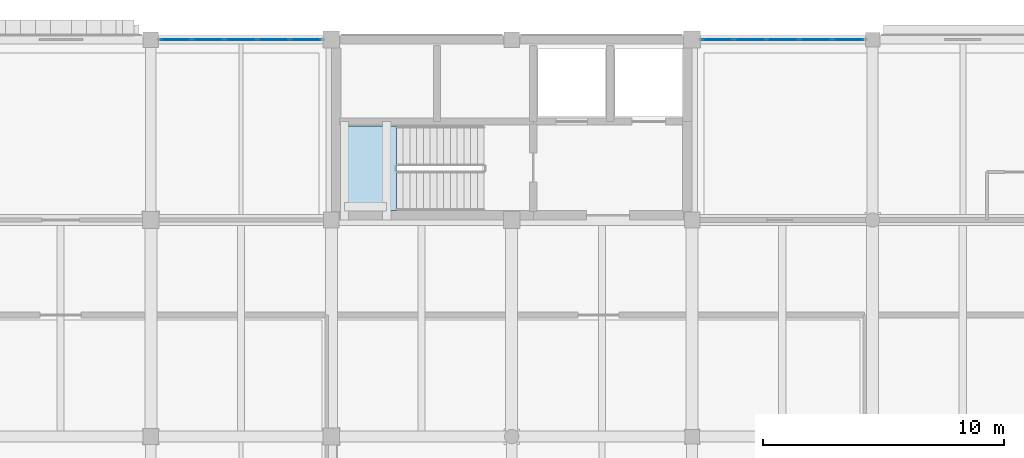
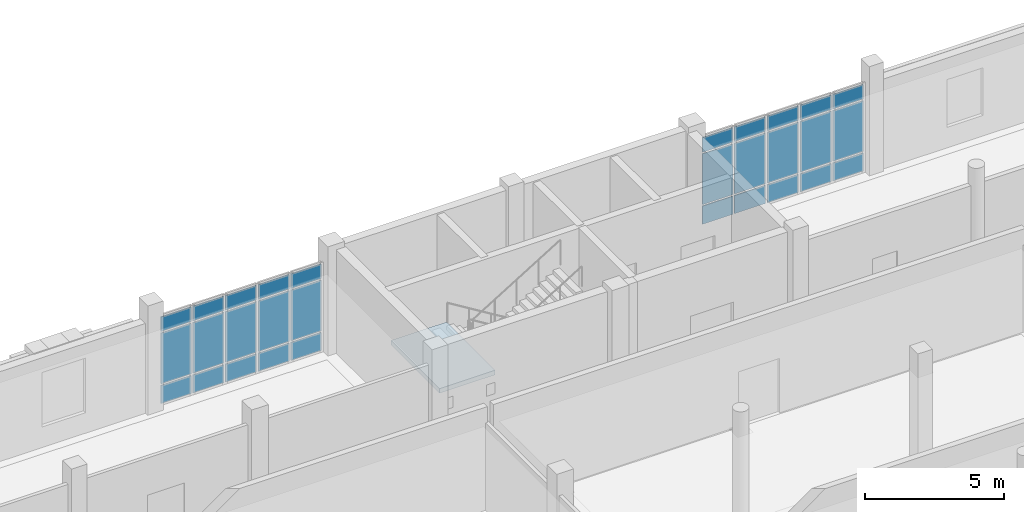
# One storey, part 90 of 131: 30 plates, 1 slab, 3 elements without a shape of their own.
"""IFC4 building model written with IfcOpenShell, lengths in metres."""

from ifc_helpers import new_model, si_unit, direction, frame, origin, origin_2d, place, context, subcontext, project, spatial, polyline, rectangle, outline, extrude, material, layer, layer_set, type_object, element, aggregate, save


model = new_model("IFC4")

# Units and contexts
model_context = context("Model", 3, precision=1e-05, world=origin(), true_north=direction((0.0, 1.0)))
body_context = subcontext(model_context, "Body", "Model", "MODEL_VIEW")
ifc_project = project(units=[si_unit("LENGTHUNIT", "METRE"), si_unit("AREAUNIT", "SQUARE_METRE"), si_unit("VOLUMEUNIT", "CUBIC_METRE"), si_unit("PLANEANGLEUNIT", "RADIAN"), si_unit("MASSUNIT", "GRAM", prefix="KILO")], contexts=[model_context])

# Site, building, storey
site_placement = place(None, origin())
site = spatial("IfcSite", under=ifc_project, at=site_placement, CompositionType="ELEMENT")
building_placement = place(site_placement, origin())
building = spatial("IfcBuilding", under=site, at=building_placement, Name="Dalvernix Boulevard General Hospital", CompositionType="ELEMENT")
storey_placement = place(building_placement, frame((0.0, 0.0, 9.300048828125)))
storey = spatial("IfcBuildingStorey", under=building, at=storey_placement, Name="L02", CompositionType="ELEMENT", Elevation=9.300048828125)

# Curtain wall, plates
ifc_material_1 = material(Name="Thermally broken aluminium and solar-control glass curtain wall", Category="aluminium")
ifc_layer_1 = layer(ifc_material_1, 0.199951171875)
ifc_layer_set_1 = layer_set([ifc_layer_1], Name="Thermally broken aluminium and solar-control glass curtain wall (CW-CW-C-68x40)")
curtain_wall_type = type_object("IfcCurtainWallType", Name="CW-CW-C-68x40", PredefinedType="USERDEFINED", material=ifc_layer_set_1)
curtain_wall_1_placement = place(storey_placement, origin())
curtain_wall_1 = element("IfcCurtainWall", 1, at=curtain_wall_1_placement, inside=storey, type_object=curtain_wall_type, Name="L02 curtain wall CW-C-68x40 12-15", ObjectType="GLAZED FACADE", PredefinedType="USERDEFINED")
ifc_material_2 = material(Name="Double-glazed solar-control low-emissivity glass", Category="glass")
ifc_layer_2 = layer(ifc_material_2, 0.035888671875)
ifc_layer_set_2 = layer_set([ifc_layer_2], Name="Double-glazed solar-control low-emissivity glass (PLT-CW-P3)")
plate_type = type_object("IfcPlateType", Name="PLT-CW-P3", PredefinedType="CURTAIN_PANEL", material=ifc_layer_set_2)
plate_1_placement = place(storey_placement, frame((91.032958984375, 117.0, 0.070068359375), z_axis=(0.0, 0.0, 1.0), x_axis=(1.0, 0.0, 0.0)))
plate_1 = element("IfcPlate", 2, at=plate_1_placement, type_object=plate_type, Name="CW-C-68x40 panel 1.1", PredefinedType="CURTAIN_PANEL", context=body_context, shape_type="SweptSolid", body=[
    extrude(rectangle(XDim=1.256103515625, YDim=0.035888671875, at=origin_2d()), origin(), (0.0, 0.0, 1.0), 0.794921875),
])
plate_2_placement = place(storey_placement, frame((91.032958984375, 117.0, 0.93505859375), z_axis=(0.0, 0.0, 1.0), x_axis=(1.0, 0.0, 0.0)))
plate_2 = element("IfcPlate", 3, at=plate_2_placement, type_object=plate_type, Name="CW-C-68x40 panel 1.2", PredefinedType="CURTAIN_PANEL", context=body_context, shape_type="SweptSolid", body=[
    extrude(rectangle(XDim=1.256103515625, YDim=0.035888671875, at=origin_2d()), origin(), (0.0, 0.0, 1.0), 2.22998046875),
])
plate_3_placement = place(storey_placement, frame((91.032958984375, 117.0, 3.23486328125), z_axis=(0.0, 0.0, 1.0), x_axis=(1.0, 0.0, 0.0)))
plate_3 = element("IfcPlate", 4, at=plate_3_placement, type_object=plate_type, Name="CW-C-68x40 panel 1.3", PredefinedType="CURTAIN_PANEL", context=body_context, shape_type="SweptSolid", body=[
    extrude(rectangle(XDim=1.256103515625, YDim=0.035888671875, at=origin_2d()), origin(), (0.0, 0.0, 1.0), 0.64501953125),
])
plate_4_placement = place(storey_placement, frame((92.37646484375, 117.0, 0.070068359375), z_axis=(0.0, 0.0, 1.0), x_axis=(1.0, 0.0, 0.0)))
plate_4 = element("IfcPlate", 5, at=plate_4_placement, type_object=plate_type, Name="CW-C-68x40 panel 2.1", PredefinedType="CURTAIN_PANEL", context=body_context, shape_type="SweptSolid", body=[
    extrude(rectangle(XDim=1.291015625, YDim=0.035888671875, at=origin_2d()), origin(), (0.0, 0.0, 1.0), 0.794921875),
])
plate_5_placement = place(storey_placement, frame((92.37646484375, 117.0, 0.93505859375), z_axis=(0.0, 0.0, 1.0), x_axis=(1.0, 0.0, 0.0)))
plate_5 = element("IfcPlate", 6, at=plate_5_placement, type_object=plate_type, Name="CW-C-68x40 panel 2.2", PredefinedType="CURTAIN_PANEL", context=body_context, shape_type="SweptSolid", body=[
    extrude(rectangle(XDim=1.291015625, YDim=0.035888671875, at=origin_2d()), origin(), (0.0, 0.0, 1.0), 2.22998046875),
])
plate_6_placement = place(storey_placement, frame((92.37646484375, 117.0, 3.23486328125), z_axis=(0.0, 0.0, 1.0), x_axis=(1.0, 0.0, 0.0)))
plate_6 = element("IfcPlate", 7, at=plate_6_placement, type_object=plate_type, Name="CW-C-68x40 panel 2.3", PredefinedType="CURTAIN_PANEL", context=body_context, shape_type="SweptSolid", body=[
    extrude(rectangle(XDim=1.291015625, YDim=0.035888671875, at=origin_2d()), origin(), (0.0, 0.0, 1.0), 0.64501953125),
])
plate_7_placement = place(storey_placement, frame((93.737548828125, 117.0, 0.070068359375), z_axis=(0.0, 0.0, 1.0), x_axis=(1.0, 0.0, 0.0)))
plate_7 = element("IfcPlate", 8, at=plate_7_placement, type_object=plate_type, Name="CW-C-68x40 panel 3.1", PredefinedType="CURTAIN_PANEL", context=body_context, shape_type="SweptSolid", body=[
    extrude(rectangle(XDim=1.291015625, YDim=0.035888671875, at=origin_2d()), origin(), (0.0, 0.0, 1.0), 0.794921875),
])
plate_8_placement = place(storey_placement, frame((93.737548828125, 117.0, 0.93505859375), z_axis=(0.0, 0.0, 1.0), x_axis=(1.0, 0.0, 0.0)))
plate_8 = element("IfcPlate", 9, at=plate_8_placement, type_object=plate_type, Name="CW-C-68x40 panel 3.2", PredefinedType="CURTAIN_PANEL", context=body_context, shape_type="SweptSolid", body=[
    extrude(rectangle(XDim=1.291015625, YDim=0.035888671875, at=origin_2d()), origin(), (0.0, 0.0, 1.0), 2.22998046875),
])
plate_9_placement = place(storey_placement, frame((93.737548828125, 117.0, 3.23486328125), z_axis=(0.0, 0.0, 1.0), x_axis=(1.0, 0.0, 0.0)))
plate_9 = element("IfcPlate", 10, at=plate_9_placement, type_object=plate_type, Name="CW-C-68x40 panel 3.3", PredefinedType="CURTAIN_PANEL", context=body_context, shape_type="SweptSolid", body=[
    extrude(rectangle(XDim=1.291015625, YDim=0.035888671875, at=origin_2d()), origin(), (0.0, 0.0, 1.0), 0.64501953125),
])
plate_10_placement = place(storey_placement, frame((95.098388671875, 117.0, 0.070068359375), z_axis=(0.0, 0.0, 1.0), x_axis=(1.0, 0.0, 0.0)))
plate_10 = element("IfcPlate", 11, at=plate_10_placement, type_object=plate_type, Name="CW-C-68x40 panel 4.1", PredefinedType="CURTAIN_PANEL", context=body_context, shape_type="SweptSolid", body=[
    extrude(rectangle(XDim=1.291015625, YDim=0.035888671875, at=origin_2d()), origin(), (0.0, 0.0, 1.0), 0.794921875),
])
plate_11_placement = place(storey_placement, frame((95.098388671875, 117.0, 0.93505859375), z_axis=(0.0, 0.0, 1.0), x_axis=(1.0, 0.0, 0.0)))
plate_11 = element("IfcPlate", 12, at=plate_11_placement, type_object=plate_type, Name="CW-C-68x40 panel 4.2", PredefinedType="CURTAIN_PANEL", context=body_context, shape_type="SweptSolid", body=[
    extrude(rectangle(XDim=1.291015625, YDim=0.035888671875, at=origin_2d()), origin(), (0.0, 0.0, 1.0), 2.22998046875),
])
plate_12_placement = place(storey_placement, frame((95.098388671875, 117.0, 3.23486328125), z_axis=(0.0, 0.0, 1.0), x_axis=(1.0, 0.0, 0.0)))
plate_12 = element("IfcPlate", 13, at=plate_12_placement, type_object=plate_type, Name="CW-C-68x40 panel 4.3", PredefinedType="CURTAIN_PANEL", context=body_context, shape_type="SweptSolid", body=[
    extrude(rectangle(XDim=1.291015625, YDim=0.035888671875, at=origin_2d()), origin(), (0.0, 0.0, 1.0), 0.64501953125),
])
plate_13_placement = place(storey_placement, frame((96.44189453125, 117.0, 0.070068359375), z_axis=(0.0, 0.0, 1.0), x_axis=(1.0, 0.0, 0.0)))
plate_13 = element("IfcPlate", 14, at=plate_13_placement, type_object=plate_type, Name="CW-C-68x40 panel 5.1", PredefinedType="CURTAIN_PANEL", context=body_context, shape_type="SweptSolid", body=[
    extrude(rectangle(XDim=1.256103515625, YDim=0.035888671875, at=origin_2d()), origin(), (0.0, 0.0, 1.0), 0.794921875),
])
plate_14_placement = place(storey_placement, frame((96.44189453125, 117.0, 0.93505859375), z_axis=(0.0, 0.0, 1.0), x_axis=(1.0, 0.0, 0.0)))
plate_14 = element("IfcPlate", 15, at=plate_14_placement, type_object=plate_type, Name="CW-C-68x40 panel 5.2", PredefinedType="CURTAIN_PANEL", context=body_context, shape_type="SweptSolid", body=[
    extrude(rectangle(XDim=1.256103515625, YDim=0.035888671875, at=origin_2d()), origin(), (0.0, 0.0, 1.0), 2.22998046875),
])
plate_15_placement = place(storey_placement, frame((96.44189453125, 117.0, 3.23486328125), z_axis=(0.0, 0.0, 1.0), x_axis=(1.0, 0.0, 0.0)))
plate_15 = element("IfcPlate", 16, at=plate_15_placement, type_object=plate_type, Name="CW-C-68x40 panel 5.3", PredefinedType="CURTAIN_PANEL", context=body_context, shape_type="SweptSolid", body=[
    extrude(rectangle(XDim=1.256103515625, YDim=0.035888671875, at=origin_2d()), origin(), (0.0, 0.0, 1.0), 0.64501953125),
])
aggregate(curtain_wall_1, [plate_1, plate_2, plate_3, plate_4, plate_5, plate_6, plate_7, plate_8, plate_9, plate_10, plate_11, plate_12, plate_13, plate_14, plate_15])

curtain_wall_2_placement = place(storey_placement, origin())
curtain_wall_2 = element("IfcCurtainWall", 17, at=curtain_wall_2_placement, inside=storey, type_object=curtain_wall_type, Name="L02 curtain wall CW-C-68x40 15-15", ObjectType="GLAZED FACADE", PredefinedType="USERDEFINED")
plate_16_placement = place(storey_placement, frame((113.560546875, 117.0, 0.070068359375), z_axis=(0.0, 0.0, 1.0), x_axis=(1.0, 0.0, 0.0)))
plate_16 = element("IfcPlate", 18, at=plate_16_placement, type_object=plate_type, Name="CW-C-68x40 panel 1.1", PredefinedType="CURTAIN_PANEL", context=body_context, shape_type="SweptSolid", body=[
    extrude(rectangle(XDim=1.260986328125, YDim=0.035888671875, at=origin_2d()), origin(), (0.0, 0.0, 1.0), 0.794921875),
])
plate_17_placement = place(storey_placement, frame((113.560546875, 117.0, 0.93505859375), z_axis=(0.0, 0.0, 1.0), x_axis=(1.0, 0.0, 0.0)))
plate_17 = element("IfcPlate", 19, at=plate_17_placement, type_object=plate_type, Name="CW-C-68x40 panel 1.2", PredefinedType="CURTAIN_PANEL", context=body_context, shape_type="SweptSolid", body=[
    extrude(rectangle(XDim=1.260986328125, YDim=0.035888671875, at=origin_2d()), origin(), (0.0, 0.0, 1.0), 2.22998046875),
])
plate_18_placement = place(storey_placement, frame((113.560546875, 117.0, 3.23486328125), z_axis=(0.0, 0.0, 1.0), x_axis=(1.0, 0.0, 0.0)))
plate_18 = element("IfcPlate", 20, at=plate_18_placement, type_object=plate_type, Name="CW-C-68x40 panel 1.3", PredefinedType="CURTAIN_PANEL", context=body_context, shape_type="SweptSolid", body=[
    extrude(rectangle(XDim=1.260986328125, YDim=0.035888671875, at=origin_2d()), origin(), (0.0, 0.0, 1.0), 0.64501953125),
])
plate_19_placement = place(storey_placement, frame((114.908935546875, 117.0, 0.070068359375), z_axis=(0.0, 0.0, 1.0), x_axis=(1.0, 0.0, 0.0)))
plate_19 = element("IfcPlate", 21, at=plate_19_placement, type_object=plate_type, Name="CW-C-68x40 panel 2.1", PredefinedType="CURTAIN_PANEL", context=body_context, shape_type="SweptSolid", body=[
    extrude(rectangle(XDim=1.2958984375, YDim=0.035888671875, at=origin_2d()), origin(), (0.0, 0.0, 1.0), 0.794921875),
])
plate_20_placement = place(storey_placement, frame((114.908935546875, 117.0, 0.93505859375), z_axis=(0.0, 0.0, 1.0), x_axis=(1.0, 0.0, 0.0)))
plate_20 = element("IfcPlate", 22, at=plate_20_placement, type_object=plate_type, Name="CW-C-68x40 panel 2.2", PredefinedType="CURTAIN_PANEL", context=body_context, shape_type="SweptSolid", body=[
    extrude(rectangle(XDim=1.2958984375, YDim=0.035888671875, at=origin_2d()), origin(), (0.0, 0.0, 1.0), 2.22998046875),
])
plate_21_placement = place(storey_placement, frame((114.908935546875, 117.0, 3.23486328125), z_axis=(0.0, 0.0, 1.0), x_axis=(1.0, 0.0, 0.0)))
plate_21 = element("IfcPlate", 23, at=plate_21_placement, type_object=plate_type, Name="CW-C-68x40 panel 2.3", PredefinedType="CURTAIN_PANEL", context=body_context, shape_type="SweptSolid", body=[
    extrude(rectangle(XDim=1.2958984375, YDim=0.035888671875, at=origin_2d()), origin(), (0.0, 0.0, 1.0), 0.64501953125),
])
plate_22_placement = place(storey_placement, frame((116.27490234375, 117.0, 0.070068359375), z_axis=(0.0, 0.0, 1.0), x_axis=(1.0, 0.0, 0.0)))
plate_22 = element("IfcPlate", 24, at=plate_22_placement, type_object=plate_type, Name="CW-C-68x40 panel 3.1", PredefinedType="CURTAIN_PANEL", context=body_context, shape_type="SweptSolid", body=[
    extrude(rectangle(XDim=1.2958984375, YDim=0.035888671875, at=origin_2d()), origin(), (0.0, 0.0, 1.0), 0.794921875),
])
plate_23_placement = place(storey_placement, frame((116.27490234375, 117.0, 0.93505859375), z_axis=(0.0, 0.0, 1.0), x_axis=(1.0, 0.0, 0.0)))
plate_23 = element("IfcPlate", 25, at=plate_23_placement, type_object=plate_type, Name="CW-C-68x40 panel 3.2", PredefinedType="CURTAIN_PANEL", context=body_context, shape_type="SweptSolid", body=[
    extrude(rectangle(XDim=1.2958984375, YDim=0.035888671875, at=origin_2d()), origin(), (0.0, 0.0, 1.0), 2.22998046875),
])
plate_24_placement = place(storey_placement, frame((116.27490234375, 117.0, 3.23486328125), z_axis=(0.0, 0.0, 1.0), x_axis=(1.0, 0.0, 0.0)))
plate_24 = element("IfcPlate", 26, at=plate_24_placement, type_object=plate_type, Name="CW-C-68x40 panel 3.3", PredefinedType="CURTAIN_PANEL", context=body_context, shape_type="SweptSolid", body=[
    extrude(rectangle(XDim=1.2958984375, YDim=0.035888671875, at=origin_2d()), origin(), (0.0, 0.0, 1.0), 0.64501953125),
])
plate_25_placement = place(storey_placement, frame((117.64111328125, 117.0, 0.070068359375), z_axis=(0.0, 0.0, 1.0), x_axis=(1.0, 0.0, 0.0)))
plate_25 = element("IfcPlate", 27, at=plate_25_placement, type_object=plate_type, Name="CW-C-68x40 panel 4.1", PredefinedType="CURTAIN_PANEL", context=body_context, shape_type="SweptSolid", body=[
    extrude(rectangle(XDim=1.2958984375, YDim=0.035888671875, at=origin_2d()), origin(), (0.0, 0.0, 1.0), 0.794921875),
])
plate_26_placement = place(storey_placement, frame((117.64111328125, 117.0, 0.93505859375), z_axis=(0.0, 0.0, 1.0), x_axis=(1.0, 0.0, 0.0)))
plate_26 = element("IfcPlate", 28, at=plate_26_placement, type_object=plate_type, Name="CW-C-68x40 panel 4.2", PredefinedType="CURTAIN_PANEL", context=body_context, shape_type="SweptSolid", body=[
    extrude(rectangle(XDim=1.2958984375, YDim=0.035888671875, at=origin_2d()), origin(), (0.0, 0.0, 1.0), 2.22998046875),
])
plate_27_placement = place(storey_placement, frame((117.64111328125, 117.0, 3.23486328125), z_axis=(0.0, 0.0, 1.0), x_axis=(1.0, 0.0, 0.0)))
plate_27 = element("IfcPlate", 29, at=plate_27_placement, type_object=plate_type, Name="CW-C-68x40 panel 4.3", PredefinedType="CURTAIN_PANEL", context=body_context, shape_type="SweptSolid", body=[
    extrude(rectangle(XDim=1.2958984375, YDim=0.035888671875, at=origin_2d()), origin(), (0.0, 0.0, 1.0), 0.64501953125),
])
plate_28_placement = place(storey_placement, frame((118.989501953125, 117.0, 0.070068359375), z_axis=(0.0, 0.0, 1.0), x_axis=(1.0, 0.0, 0.0)))
plate_28 = element("IfcPlate", 30, at=plate_28_placement, type_object=plate_type, Name="CW-C-68x40 panel 5.1", PredefinedType="CURTAIN_PANEL", context=body_context, shape_type="SweptSolid", body=[
    extrude(rectangle(XDim=1.260986328125, YDim=0.035888671875, at=origin_2d()), origin(), (0.0, 0.0, 1.0), 0.794921875),
])
plate_29_placement = place(storey_placement, frame((118.989501953125, 117.0, 0.93505859375), z_axis=(0.0, 0.0, 1.0), x_axis=(1.0, 0.0, 0.0)))
plate_29 = element("IfcPlate", 31, at=plate_29_placement, type_object=plate_type, Name="CW-C-68x40 panel 5.2", PredefinedType="CURTAIN_PANEL", context=body_context, shape_type="SweptSolid", body=[
    extrude(rectangle(XDim=1.260986328125, YDim=0.035888671875, at=origin_2d()), origin(), (0.0, 0.0, 1.0), 2.22998046875),
])
plate_30_placement = place(storey_placement, frame((118.989501953125, 117.0, 3.23486328125), z_axis=(0.0, 0.0, 1.0), x_axis=(1.0, 0.0, 0.0)))
plate_30 = element("IfcPlate", 32, at=plate_30_placement, type_object=plate_type, Name="CW-C-68x40 panel 5.3", PredefinedType="CURTAIN_PANEL", context=body_context, shape_type="SweptSolid", body=[
    extrude(rectangle(XDim=1.260986328125, YDim=0.035888671875, at=origin_2d()), origin(), (0.0, 0.0, 1.0), 0.64501953125),
])
aggregate(curtain_wall_2, [plate_16, plate_17, plate_18, plate_19, plate_20, plate_21, plate_22, plate_23, plate_24, plate_25, plate_26, plate_27, plate_28, plate_29, plate_30])

# Stair, slab
ifc_material_3 = material(Name="Precast concrete C40/50", Category="concrete")
stair_type = type_object("IfcStairType", Name="IFCSTAIR-STC-165x480", PredefinedType="HALF_TURN_STAIR", material=ifc_material_3)
stair_placement = place(storey_placement, origin())
stair = element("IfcStair", 33, at=stair_placement, inside=storey, type_object=stair_type, Name="L02 Core C4 Exit Stair ST-04", PredefinedType="HALF_TURN_STAIR")
ifc_layer_3 = layer(ifc_material_3, 0.199951171875)
ifc_layer_set_3 = layer_set([ifc_layer_3], Name="Precast concrete C40/50 (SLB-LND-01)")
slab_type = type_object("IfcSlabType", Name="SLB-LND-01", PredefinedType="LANDING", material=ifc_layer_set_3)
slab_placement = place(storey_placement, frame((0.0, 0.0, 2.199951171875)))
slab = element("IfcSlab", 34, at=slab_placement, type_object=slab_type, Name="ST-04 landing 1", PredefinedType="LANDING", context=body_context, shape_type="SweptSolid", body=[
    extrude(outline(polyline([(100.2099609375, 113.39990234375), (97.89990234375, 113.39990234375), (97.89990234375, 109.89990234375), (100.2099609375, 109.89990234375), (100.2099609375, 113.39990234375)])), origin(), (0.0, 0.0, 1.0), 0.199951171875),
])
aggregate(stair, [slab])

save(model, "model.ifc")
